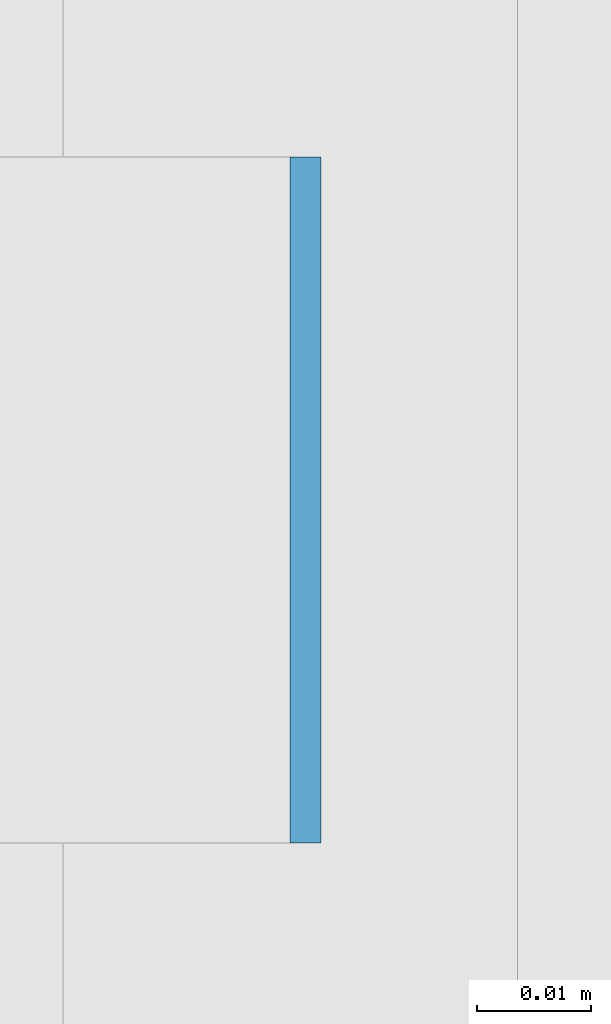
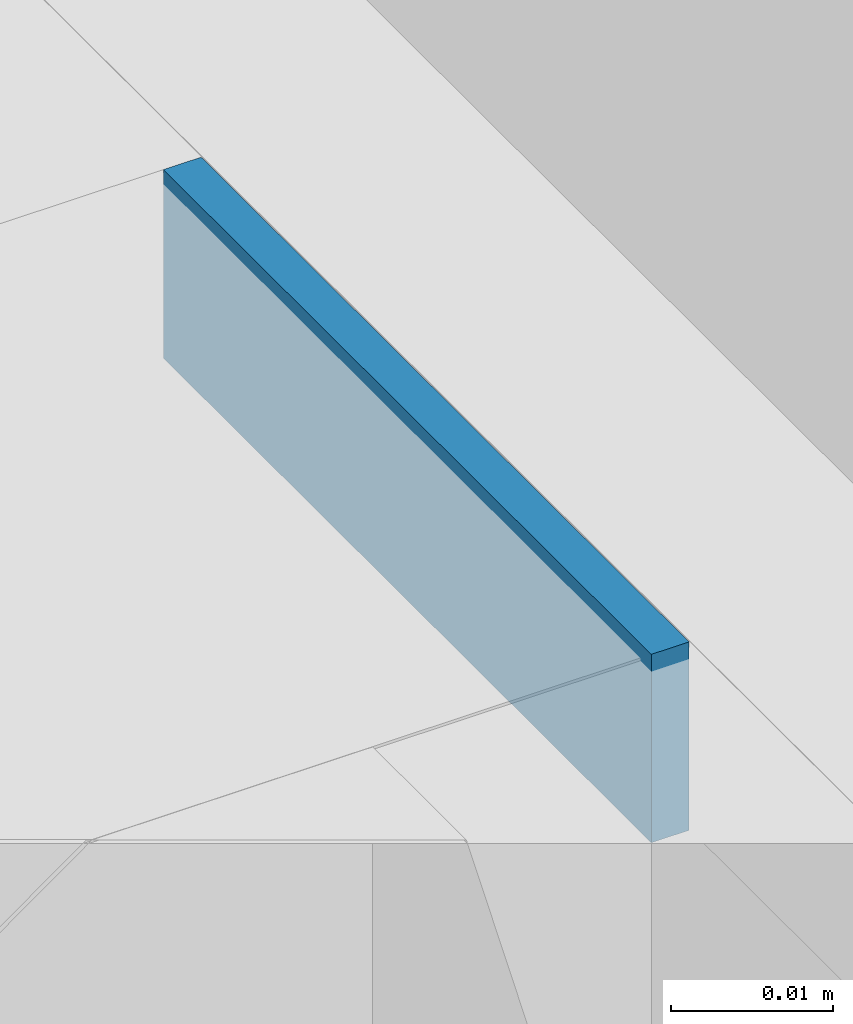
# One storey, part 297 of 646: 1 discrete accessory.
"""IFC4 building model written with IfcOpenShell, lengths in metres."""

import ifcopenshell
import ifcopenshell.guid

model = None  # the IFC model being written
_history = None  # IfcOwnerHistory: only IFC2X3 demands one
_inside = {}  # id of a spatial element -> (the spatial element, [elements in it])
_under = {}  # id of a project, library or spatial element -> (it, [spatial elements below it])
_declared = {}  # id of a project -> (the project, [libraries it declares])
_typed = {}  # id of a type object -> (the type object, [elements of that type])
_made_of = {}  # id of a material, layer set ... -> (it, [elements and type objects made of it])


def new_model(schema):
    """Start an empty IFC model of exactly this schema.

    Asked for "IFC4X3", IfcOpenShell would pick the latest addendum, in which some entities
    have other attributes; the version numbers below select the first issue.
    IFC2X3 requires an IfcOwnerHistory on every rooted entity: one is made here for all.
    """
    global model, _history
    if schema == "IFC4X3":
        model = ifcopenshell.file(schema_version=(4, 3, 0, 0))
    else:
        model = ifcopenshell.file(schema=schema)
    _inside.clear()
    _under.clear()
    _declared.clear()
    _typed.clear()
    _made_of.clear()
    _history = None
    if model.schema == "IFC2X3":
        org = make("IfcOrganization", Name="unknown")
        user = make(
            "IfcPersonAndOrganization",
            ThePerson=make("IfcPerson", FamilyName="unknown"),
            TheOrganization=org,
        )
        app = make(
            "IfcApplication",
            ApplicationDeveloper=org,
            Version="unknown",
            ApplicationFullName="unknown",
            ApplicationIdentifier="unknown",
        )
        _history = make(
            "IfcOwnerHistory",
            OwningUser=user,
            OwningApplication=app,
            ChangeAction="ADDED",
            CreationDate=0,
        )
    return model


def make(cls, **values):
    """One entity of the class cls with the attributes given. An attribute that is None is left unset."""
    return model.create_entity(
        cls, **{name: value for name, value in values.items() if value is not None}
    )


def rooted(cls, **values):
    """An entity with a GlobalId (a new one), such as an element, a storey or a relation."""
    return make(cls, GlobalId=ifcopenshell.guid.new(), OwnerHistory=_history, **values)


def si_unit(unit_type, name, prefix=None):
    """IfcSIUnit, for example si_unit("LENGTHUNIT", "METRE", prefix="MILLI")."""
    return make("IfcSIUnit", UnitType=unit_type, Prefix=prefix, Name=name)


def assignment(units):
    """IfcUnitAssignment: the units of a project."""
    return None if units is None else make("IfcUnitAssignment", Units=units)


def point(xyz):
    """IfcCartesianPoint."""
    return None if xyz is None else make("IfcCartesianPoint", Coordinates=xyz)


def direction(xyz):
    """IfcDirection."""
    return None if xyz is None else make("IfcDirection", DirectionRatios=xyz)


def frame(location, z_axis=None, x_axis=None):
    """IfcAxis2Placement3D, a coordinate frame: its origin and axes. An axis left out is left unset."""
    return make(
        "IfcAxis2Placement3D",
        Location=point(location),
        Axis=direction(z_axis),
        RefDirection=direction(x_axis),
    )


def frame_2d(location, x_axis=None):
    """IfcAxis2Placement2D, a coordinate frame in the plane: its origin and x axis."""
    return make(
        "IfcAxis2Placement2D", Location=point(location), RefDirection=direction(x_axis)
    )


def origin():
    """The frame at (0, 0, 0) with its axes left unset."""
    return frame((0.0, 0.0, 0.0))


def origin_2d():
    """The frame at (0, 0) in the plane with its x axis left unset."""
    return frame_2d((0.0, 0.0))


def place(relative_to, where):
    """IfcLocalPlacement: puts the frame where relative to a parent placement (None: the world)."""
    return make(
        "IfcLocalPlacement", PlacementRelTo=relative_to, RelativePlacement=where
    )


def context(
    kind, dimensions, precision=None, world=None, true_north=None, identifier=None
):
    """IfcGeometricRepresentationContext, for example the 3D "Model" context."""
    return make(
        "IfcGeometricRepresentationContext",
        ContextIdentifier=identifier,
        ContextType=kind,
        CoordinateSpaceDimension=dimensions,
        Precision=precision,
        WorldCoordinateSystem=world,
        TrueNorth=true_north,
    )


def subcontext(parent, identifier, kind, view, scale=None):
    """IfcGeometricRepresentationSubContext, for example "Body" below "Model"."""
    return make(
        "IfcGeometricRepresentationSubContext",
        ContextIdentifier=identifier,
        ContextType=kind,
        ParentContext=parent,
        TargetScale=scale,
        TargetView=view,
    )


def project(units=None, contexts=None):
    """IfcProject with its units and contexts."""
    return rooted(
        "IfcProject",
        Name="project",
        RepresentationContexts=contexts,
        UnitsInContext=assignment(units),
    )


def spatial(cls, under=None, at=None, **own):
    """A site, building, storey or space (cls), placed at a placement, below another one or the project."""
    s = rooted(cls, ObjectPlacement=at, **own)
    if under is not None:
        _under.setdefault(under.id(), (under, []))[1].append(s)
    return s


def profile(cls, at=None, kind="AREA", **sizes):
    """A parametric profile (cls). Its sizes go by their IFC names, for example OverallWidth=200.0."""
    return make(cls, ProfileType=kind, Position=at, **sizes)


def rectangle(**sizes):
    """IfcRectangleProfileDef."""
    return profile("IfcRectangleProfileDef", **sizes)


def extrude(swept, where, along, depth):
    """IfcExtrudedAreaSolid: the profile swept, set in the frame where, extruded along a direction by depth."""
    return make(
        "IfcExtrudedAreaSolid",
        SweptArea=swept,
        Position=where,
        ExtrudedDirection=direction(along),
        Depth=depth,
    )


def shape(context_of_items, identifier, shape_type, items):
    """IfcShapeRepresentation: the items that make up one representation, for example the "Body"."""
    return make(
        "IfcShapeRepresentation",
        ContextOfItems=context_of_items,
        RepresentationIdentifier=identifier,
        RepresentationType=shape_type,
        Items=items,
    )


def material(Name=None, Category=None):
    """IfcMaterial."""
    return make("IfcMaterial", Name=Name, Category=Category)


def made_of(thing, what):
    """Note that an element or type object is made of a material, layer set ...; save() writes the relation."""
    if what is not None:
        _made_of.setdefault(what.id(), (what, []))[1].append(thing)
    return thing


def type_object(cls, material=None, **own):
    """A type object (cls), such as IfcWallType, which elements share."""
    return made_of(rooted(cls, **own), material)


def element(
    cls,
    number,
    at=None,
    inside=None,
    cuts=None,
    type_object=None,
    material=None,
    context=None,
    identifier="Body",
    shape_type=None,
    held_by="IfcProductDefinitionShape",
    body=None,
    shapes=None,
    **own,
):
    """One element of the class cls, such as IfcWall. Its Tag is "e" and its number.

    at: its placement. inside: the storey or other place that contains it. cuts: it is an
    opening in that element (IfcRelVoidsElement). A single representation is given by context,
    identifier, shape_type and body (its items); several are given by shapes. held_by: the class
    of the entity that holds the representations. save() writes the other relations.
    """
    e = rooted(cls, Tag="e%d" % number, ObjectPlacement=at, **own)
    if body is not None:
        shapes = [shape(context, identifier, shape_type, body)]
    if shapes is not None:
        e.Representation = make(held_by, Representations=shapes)
    if inside is not None:
        _inside.setdefault(inside.id(), (inside, []))[1].append(e)
    if cuts is not None:
        rooted(
            "IfcRelVoidsElement", RelatingBuildingElement=cuts, RelatedOpeningElement=e
        )
    if type_object is not None:
        _typed.setdefault(type_object.id(), (type_object, []))[1].append(e)
    return made_of(e, material)


def aggregate(whole, parts):
    """IfcRelAggregates: a whole, such as a stair, and the parts it consists of."""
    return rooted("IfcRelAggregates", RelatingObject=whole, RelatedObjects=parts)


def save(model, path):
    """Write the relations noted so far, then the file.

    IfcRelAggregates (storeys below a building ...), IfcRelContainedInSpatialStructure (elements
    in a storey), IfcRelDefinesByType, IfcRelAssociatesMaterial and IfcRelDeclares: one each for
    every whole, place, type object, material and project.
    """
    for whole, parts in _under.values():
        aggregate(whole, parts)
    for where, things in _inside.values():
        rooted(
            "IfcRelContainedInSpatialStructure",
            RelatedElements=things,
            RelatingStructure=where,
        )
    for kind, things in _typed.values():
        rooted("IfcRelDefinesByType", RelatedObjects=things, RelatingType=kind)
    for what, things in _made_of.values():
        rooted("IfcRelAssociatesMaterial", RelatedObjects=things, RelatingMaterial=what)
    for by, libraries in _declared.values():
        rooted("IfcRelDeclares", RelatingContext=by, RelatedDefinitions=libraries)
    model.write(path)


model = new_model("IFC4")

# Units and contexts
model_context = context("Model", 3, precision=1e-05, world=origin(), true_north=direction((0.0, 1.0)))
body_context = subcontext(model_context, "Body", "Model", "MODEL_VIEW")
ifc_project = project(units=[si_unit("LENGTHUNIT", "METRE"), si_unit("AREAUNIT", "SQUARE_METRE"), si_unit("VOLUMEUNIT", "CUBIC_METRE"), si_unit("PLANEANGLEUNIT", "RADIAN"), si_unit("MASSUNIT", "GRAM", prefix="KILO")], contexts=[model_context])

# Site, building, storey
site_placement = place(None, origin())
site = spatial("IfcSite", under=ifc_project, at=site_placement, CompositionType="ELEMENT")
building_placement = place(site_placement, origin())
building = spatial("IfcBuilding", under=site, at=building_placement, Name="Silverbay Arena", CompositionType="ELEMENT")
storey_placement = place(building_placement, frame((0.0, 0.0, 33.5)))
storey = spatial("IfcBuildingStorey", under=building, at=storey_placement, Name="L05", CompositionType="ELEMENT", Elevation=33.5)

# Discrete accessory
ifc_material = material(Name="Steel S355", Category="steel")
discrete_accessory_type = type_object("IfcDiscreteAccessoryType", Name="Steel bracket plate", PredefinedType="BRACKET", material=ifc_material)
discrete_accessory_placement = place(storey_placement, frame((53.871337890625, 61.71435546875, 12.98583984375), z_axis=(0.0, 0.0, 1.0), x_axis=(1.0, 0.0, 0.0)))
element("IfcDiscreteAccessory", 1, at=discrete_accessory_placement, inside=storey, type_object=discrete_accessory_type, Name="Curtain wall packing plate", PredefinedType="BRACKET", context=body_context, shape_type="SweptSolid", body=[
    extrude(rectangle(XDim=0.002685546875, YDim=0.06005859375, at=origin_2d()), origin(), (0.0, 0.0, 1.0), 0.01416015625),
])

save(model, "model.ifc")
